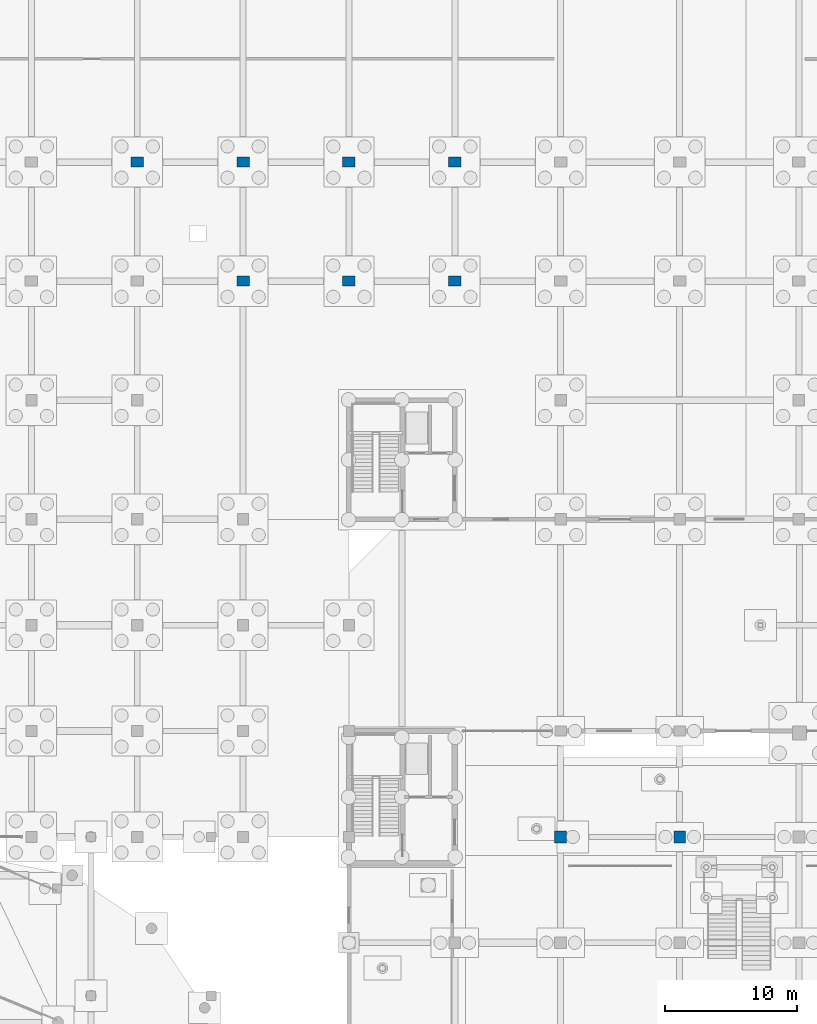
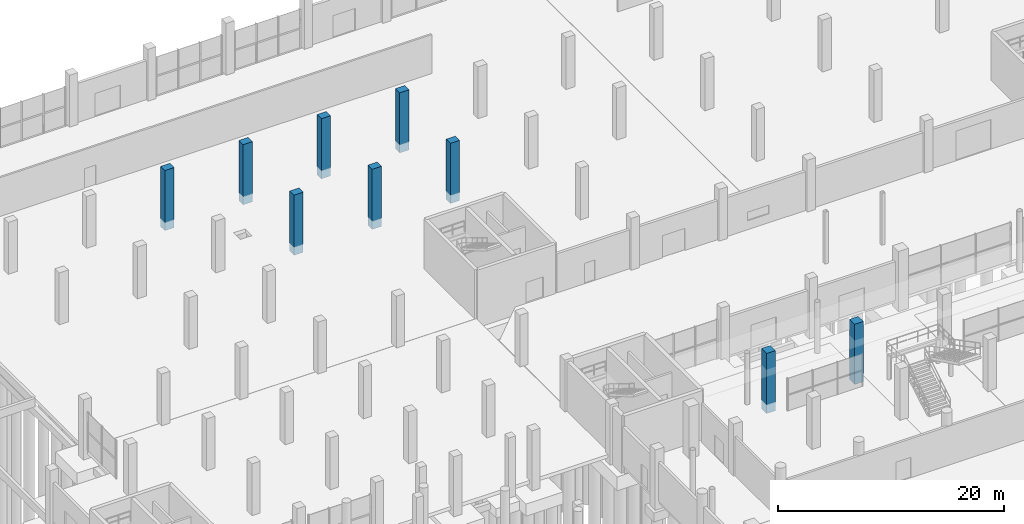
# One storey, part 23 of 98: 9 columns.
"""IFC4 building model written with IfcOpenShell, lengths in metres."""

from ifc_helpers import new_model, si_unit, derived_unit, direction, frame, origin, origin_2d, place, context, subcontext, project, spatial, rectangle, extrude, material, material_profile, profile_set, type_object, element, save


model = new_model("IFC4")

# Units and contexts
model_context = context("Model", 3, precision=1e-05, world=origin(), true_north=direction((0.0, 1.0)))
body_context = subcontext(model_context, "Body", "Model", "MODEL_VIEW")
ifc_project = project(units=[si_unit("LENGTHUNIT", "METRE"), si_unit("AREAUNIT", "SQUARE_METRE"), si_unit("VOLUMEUNIT", "CUBIC_METRE"), si_unit("PLANEANGLEUNIT", "RADIAN"), si_unit("MASSUNIT", "GRAM", prefix="KILO"), si_unit("THERMODYNAMICTEMPERATUREUNIT", "KELVIN"), derived_unit("THERMALTRANSMITTANCEUNIT", [(si_unit("POWERUNIT", "WATT"), 1), (si_unit("AREAUNIT", "SQUARE_METRE"), -1), (si_unit("THERMODYNAMICTEMPERATUREUNIT", "KELVIN"), -1)])], contexts=[model_context])

# Site, building, storey
site_placement = place(None, origin())
site = spatial("IfcSite", under=ifc_project, at=site_placement, CompositionType="ELEMENT")
building_placement = place(site_placement, origin())
building = spatial("IfcBuilding", under=site, at=building_placement, Name="Haiyu Intermodal Mobility Hub", CompositionType="ELEMENT")
storey_placement = place(building_placement, origin())
storey = spatial("IfcBuildingStorey", under=building, at=storey_placement, Name="L00", CompositionType="ELEMENT", Elevation=0.0)

# Columns
ifc_material_1 = material(Name="Concrete C40", Category="concrete")
ifc_material_profile_1 = material_profile(ifc_material_1, rectangle(XDim=0.89990234375, YDim=0.89990234375, at=origin_2d()), Name="RC900x900")
ifc_profile_set_1 = profile_set([ifc_material_profile_1], Name="Concrete C40")
column_type_1 = type_object("IfcColumnType", Name="COL-CC06", PredefinedType="COLUMN", material=ifc_profile_set_1)
for number, where, z_axis, x_axis, name in (
    (1, (78.0, 80.0, -0.89990234375), (0.0, 0.0, 1.0), (1.0, 0.0, 0.0), "Column V1-9J L00"),
    (2, (87.0, 80.0, -0.89990234375), (0.0, 0.0, 1.0), (1.0, 0.0, 0.0), "Column V1-10J L00"),
):
    element("IfcColumn", number, at=place(storey_placement, frame(where, z_axis=z_axis, x_axis=x_axis)), inside=storey, type_object=column_type_1, Name=name, PredefinedType="COLUMN", context=body_context, shape_type="SweptSolid", body=[
        extrude(rectangle(XDim=0.89990234375, YDim=0.89990234375, at=origin_2d()), origin(), (0.0, 0.0, 1.0), 6.5),
    ])
ifc_material_2 = material(Name="Precast concrete C40", Category="concrete")
ifc_material_profile_2 = material_profile(ifc_material_2, rectangle(XDim=0.949951171875, YDim=0.75, at=origin_2d()), Name="C950x750")
ifc_profile_set_2 = profile_set([ifc_material_profile_2], Name="Precast concrete C40")
column_type_2 = type_object("IfcColumnType", Name="COL-CC19", PredefinedType="COLUMN", material=ifc_profile_set_2)
for number, where, z_axis, x_axis, name in (
    (3, (46.0, 131.0, -0.89990234375), (0.0, 0.0, 1.0), (1.0, 0.0, 0.0), "Column V4-5Q L00"),
    (4, (54.0, 122.0, -0.89990234375), (0.0, 0.0, 1.0), (1.0, 0.0, 0.0), "Column V4-6P L00"),
    (5, (54.0, 131.0, -0.89990234375), (0.0, 0.0, 1.0), (1.0, 0.0, 0.0), "Column V4-6Q L00"),
    (6, (62.0, 122.0, -0.89990234375), (0.0, 0.0, 1.0), (1.0, 0.0, 0.0), "Column V4-7P L00"),
    (7, (62.0, 131.0, -0.89990234375), (0.0, 0.0, 1.0), (1.0, 0.0, 0.0), "Column V4-7Q L00"),
    (8, (70.0, 122.0, -0.89990234375), (0.0, 0.0, 1.0), (1.0, 0.0, 0.0), "Column V4-8P L00"),
    (9, (70.0, 131.0, -0.89990234375), (0.0, 0.0, 1.0), (1.0, 0.0, 0.0), "Column V4-8Q L00"),
):
    element("IfcColumn", number, at=place(storey_placement, frame(where, z_axis=z_axis, x_axis=x_axis)), inside=storey, type_object=column_type_2, Name=name, PredefinedType="COLUMN", context=body_context, shape_type="SweptSolid", body=[
        extrude(rectangle(XDim=0.949951171875, YDim=0.75, at=origin_2d()), origin(), (0.0, 0.0, 1.0), 6.5),
    ])

save(model, "model.ifc")
